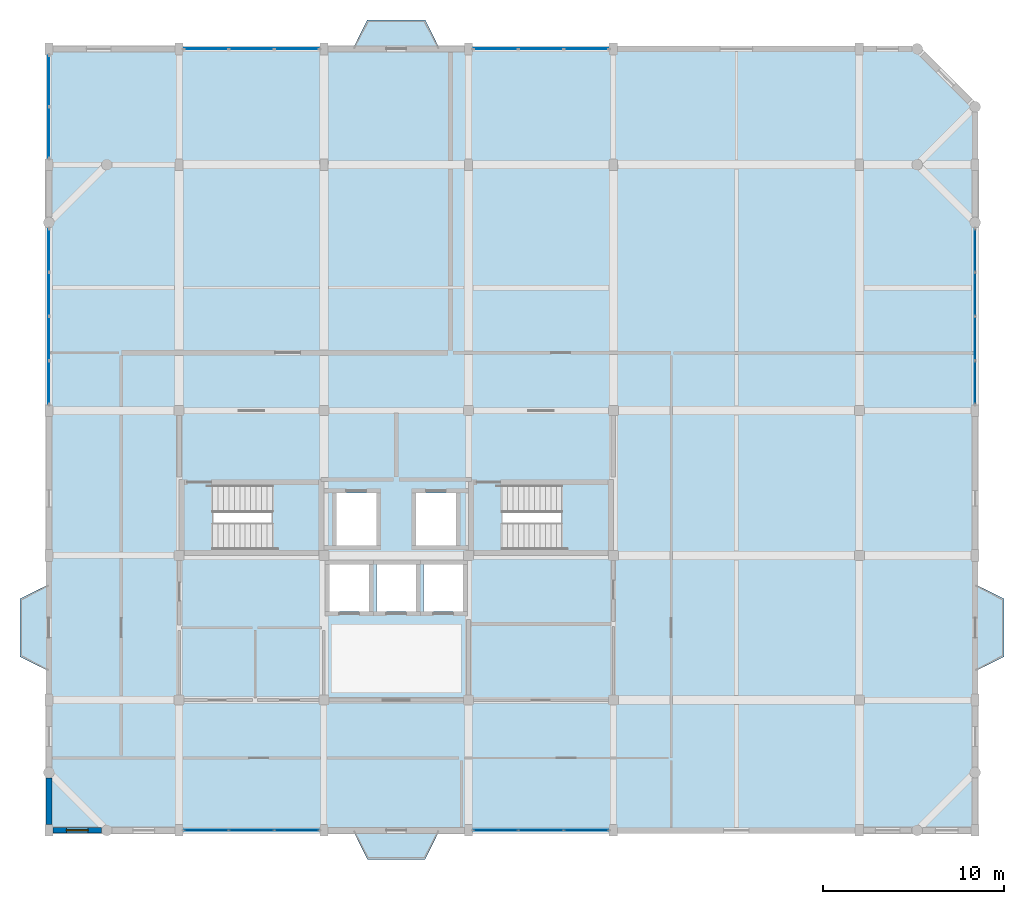
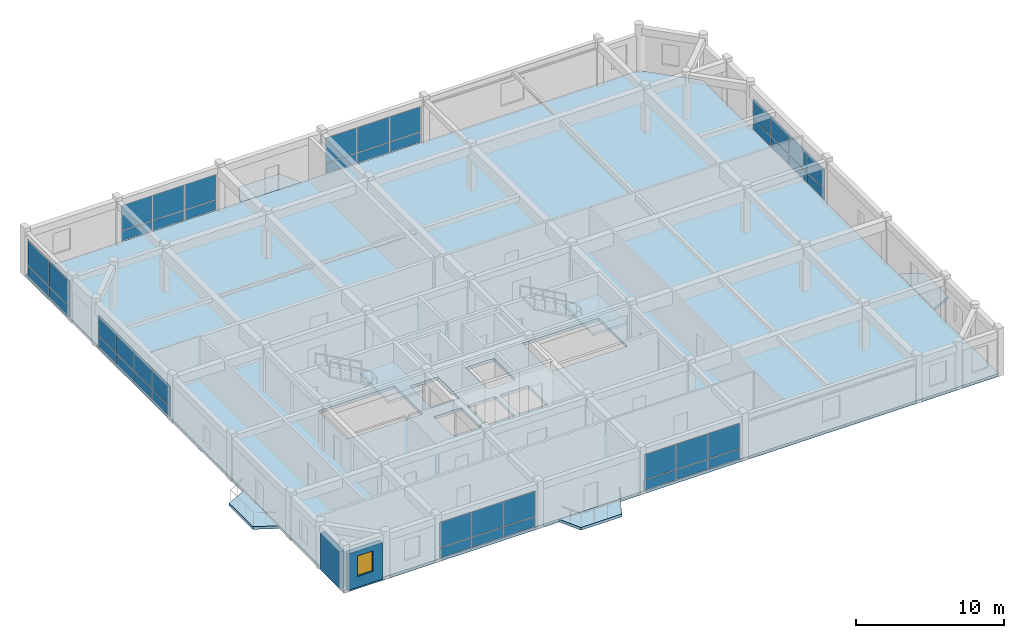
# One storey, part 8 of 13: 44 plates, 7 slabs, 2 walls, 1 window, 1 opening, 9 elements without a shape of their own.
"""IFC4 building model written with IfcOpenShell, lengths in metres."""

from ifc_helpers import new_model, si_unit, direction, frame, frame_2d, origin, origin_2d, place, context, subcontext, project, spatial, polyline, rectangle, outline, extrude, material, layer, layer_set, type_object, element, fill, aggregate, save


model = new_model("IFC4")

# Units and contexts
model_context = context("Model", 3, precision=1e-05, world=origin(), true_north=direction((0.0, 1.0)))
body_context = subcontext(model_context, "Body", "Model", "MODEL_VIEW")
ifc_project = project(units=[si_unit("LENGTHUNIT", "METRE"), si_unit("AREAUNIT", "SQUARE_METRE"), si_unit("VOLUMEUNIT", "CUBIC_METRE"), si_unit("PLANEANGLEUNIT", "RADIAN"), si_unit("MASSUNIT", "GRAM", prefix="KILO")], contexts=[model_context])

# Site, building, storey
site_placement = place(None, origin())
site = spatial("IfcSite", under=ifc_project, at=site_placement, CompositionType="ELEMENT")
building_placement = place(site_placement, origin())
building = spatial("IfcBuilding", under=site, at=building_placement, Name="Vellmiral Cinema and Media Centre", CompositionType="ELEMENT")
storey_placement = place(building_placement, frame((0.0, 0.0, 58.699951171875)))
storey = spatial("IfcBuildingStorey", under=building, at=storey_placement, Name="L14", CompositionType="ELEMENT", Elevation=58.699951171875)

# Curtain wall, plates
ifc_material_1 = material(Name="Thermally Broken Aluminium and Triple Glazing", Category="aluminium")
curtain_wall_type_1 = type_object("IfcCurtainWallType", Name="CW-TOWER-MID-W", PredefinedType="USERDEFINED", material=ifc_material_1)
curtain_wall_1_placement = place(storey_placement, origin())
curtain_wall_1 = element("IfcCurtainWall", 1, at=curtain_wall_1_placement, inside=storey, type_object=curtain_wall_type_1, Name="Curtain Wall L14-B019", ObjectType="UNITISED CURTAIN WALL", PredefinedType="USERDEFINED")
ifc_material_2 = material(Name="Laminated Studio Acoustic Glazing", Category="glass")
ifc_layer_1 = layer(ifc_material_2, 0.0439453125, Name="Laminated Studio Acoustic Glazing")
ifc_layer_set_1 = layer_set([ifc_layer_1], Name="Laminated Studio Acoustic Glazing")
plate_type_1 = type_object("IfcPlateType", Name="CWP-ACOUST-44", PredefinedType="CURTAIN_PANEL", material=ifc_layer_set_1)
plate_1_placement = place(storey_placement, frame((146.50048828125, 115.199951171875, 0.9326171875), z_axis=(0.0, 0.0, 1.0), x_axis=(-1.0, 0.0, 0.0)))
plate_1 = element("IfcPlate", 2, at=plate_1_placement, type_object=plate_type_1, Name="CW-08 panel 1.2", PredefinedType="CURTAIN_PANEL", context=body_context, shape_type="SweptSolid", body=[
    extrude(rectangle(XDim=2.419189453125, YDim=0.0439453125, at=origin_2d()), origin(), (0.0, 0.0, 1.0), 2.052490234375),
])
plate_2_placement = place(storey_placement, frame((144.0, 115.199951171875, 0.9326171875), z_axis=(0.0, 0.0, 1.0), x_axis=(-1.0, 0.0, 0.0)))
plate_2 = element("IfcPlate", 3, at=plate_2_placement, type_object=plate_type_1, Name="CW-08 panel 2.2", PredefinedType="CURTAIN_PANEL", context=body_context, shape_type="SweptSolid", body=[
    extrude(rectangle(XDim=2.45166015625, YDim=0.0439453125, at=origin_2d()), origin(), (0.0, 0.0, 1.0), 2.052490234375),
])
plate_3_placement = place(storey_placement, frame((141.49951171875, 115.199951171875, 0.9326171875), z_axis=(0.0, 0.0, 1.0), x_axis=(-1.0, 0.0, 0.0)))
plate_3 = element("IfcPlate", 4, at=plate_3_placement, type_object=plate_type_1, Name="CW-08 panel 3.2", PredefinedType="CURTAIN_PANEL", context=body_context, shape_type="SweptSolid", body=[
    extrude(rectangle(XDim=2.419189453125, YDim=0.0439453125, at=origin_2d()), origin(), (0.0, 0.0, 1.0), 2.052490234375),
])

curtain_wall_2_placement = place(storey_placement, origin())
curtain_wall_2 = element("IfcCurtainWall", 5, at=curtain_wall_2_placement, inside=storey, type_object=curtain_wall_type_1, Name="Curtain Wall L14-B021", ObjectType="UNITISED CURTAIN WALL", PredefinedType="USERDEFINED")
plate_4_placement = place(storey_placement, frame((130.50048828125, 115.199951171875, 0.9326171875), z_axis=(0.0, 0.0, 1.0), x_axis=(-1.0, 0.0, 0.0)))
plate_4 = element("IfcPlate", 6, at=plate_4_placement, type_object=plate_type_1, Name="CW-08 panel 1.2", PredefinedType="CURTAIN_PANEL", context=body_context, shape_type="SweptSolid", body=[
    extrude(rectangle(XDim=2.419189453125, YDim=0.0439453125, at=origin_2d()), origin(), (0.0, 0.0, 1.0), 2.052490234375),
])
plate_5_placement = place(storey_placement, frame((128.0, 115.199951171875, 0.9326171875), z_axis=(0.0, 0.0, 1.0), x_axis=(-1.0, 0.0, 0.0)))
plate_5 = element("IfcPlate", 7, at=plate_5_placement, type_object=plate_type_1, Name="CW-08 panel 2.2", PredefinedType="CURTAIN_PANEL", context=body_context, shape_type="SweptSolid", body=[
    extrude(rectangle(XDim=2.45166015625, YDim=0.0439453125, at=origin_2d()), origin(), (0.0, 0.0, 1.0), 2.052490234375),
])
plate_6_placement = place(storey_placement, frame((125.49951171875, 115.199951171875, 0.9326171875), z_axis=(0.0, 0.0, 1.0), x_axis=(-1.0, 0.0, 0.0)))
plate_6 = element("IfcPlate", 8, at=plate_6_placement, type_object=plate_type_1, Name="CW-08 panel 3.2", PredefinedType="CURTAIN_PANEL", context=body_context, shape_type="SweptSolid", body=[
    extrude(rectangle(XDim=2.419189453125, YDim=0.0439453125, at=origin_2d()), origin(), (0.0, 0.0, 1.0), 2.052490234375),
])

curtain_wall_3_placement = place(storey_placement, origin())
curtain_wall_3 = element("IfcCurtainWall", 9, at=curtain_wall_3_placement, inside=storey, type_object=curtain_wall_type_1, Name="Curtain Wall L14-B023", ObjectType="UNITISED CURTAIN WALL", PredefinedType="USERDEFINED")
plate_7_placement = place(storey_placement, frame((116.800048828125, 113.421142578125, 0.9326171875), z_axis=(0.0, 0.0, 1.0), x_axis=(0.0, -1.0, 0.0)))
plate_7 = element("IfcPlate", 10, at=plate_7_placement, type_object=plate_type_1, Name="CW-08 panel 1.2", PredefinedType="CURTAIN_PANEL", context=body_context, shape_type="SweptSolid", body=[
    extrude(rectangle(XDim=2.777587890625, YDim=0.0439453125, at=origin_2d()), origin(), (0.0, 0.0, 1.0), 2.052490234375),
])
plate_8_placement = place(storey_placement, frame((116.800048828125, 110.578857421875, 0.9326171875), z_axis=(0.0, 0.0, 1.0), x_axis=(0.0, -1.0, 0.0)))
plate_8 = element("IfcPlate", 11, at=plate_8_placement, type_object=plate_type_1, Name="CW-08 panel 2.2", PredefinedType="CURTAIN_PANEL", context=body_context, shape_type="SweptSolid", body=[
    extrude(rectangle(XDim=2.777587890625, YDim=0.0439453125, at=origin_2d()), origin(), (0.0, 0.0, 1.0), 2.052490234375),
])

curtain_wall_4_placement = place(storey_placement, origin())
curtain_wall_4 = element("IfcCurtainWall", 12, at=curtain_wall_4_placement, inside=storey, type_object=curtain_wall_type_1, Name="Curtain Wall L14-B025", ObjectType="UNITISED CURTAIN WALL", PredefinedType="USERDEFINED")
plate_9_placement = place(storey_placement, frame((116.800048828125, 104.061767578125, 0.9326171875), z_axis=(0.0, 0.0, 1.0), x_axis=(0.0, -1.0, 0.0)))
plate_9 = element("IfcPlate", 13, at=plate_9_placement, type_object=plate_type_1, Name="CW-08 panel 1.2", PredefinedType="CURTAIN_PANEL", context=body_context, shape_type="SweptSolid", body=[
    extrude(rectangle(XDim=2.34619140625, YDim=0.0439453125, at=origin_2d()), origin(), (0.0, 0.0, 1.0), 1.637451171875),
])
plate_10_placement = place(storey_placement, frame((116.800048828125, 101.63427734375, 0.9326171875), z_axis=(0.0, 0.0, 1.0), x_axis=(0.0, -1.0, 0.0)))
plate_10 = element("IfcPlate", 14, at=plate_10_placement, type_object=plate_type_1, Name="CW-08 panel 2.2", PredefinedType="CURTAIN_PANEL", context=body_context, shape_type="SweptSolid", body=[
    extrude(rectangle(XDim=2.378662109375, YDim=0.0439453125, at=origin_2d()), origin(), (0.0, 0.0, 1.0), 1.637451171875),
])
plate_11_placement = place(storey_placement, frame((116.800048828125, 99.190673828125, 0.9326171875), z_axis=(0.0, 0.0, 1.0), x_axis=(0.0, -1.0, 0.0)))
plate_11 = element("IfcPlate", 15, at=plate_11_placement, type_object=plate_type_1, Name="CW-08 panel 3.2", PredefinedType="CURTAIN_PANEL", context=body_context, shape_type="SweptSolid", body=[
    extrude(rectangle(XDim=2.378662109375, YDim=0.0439453125, at=origin_2d()), origin(), (0.0, 0.0, 1.0), 1.637451171875),
])
plate_12_placement = place(storey_placement, frame((116.800048828125, 96.76318359375, 0.9326171875), z_axis=(0.0, 0.0, 1.0), x_axis=(0.0, -1.0, 0.0)))
plate_12 = element("IfcPlate", 16, at=plate_12_placement, type_object=plate_type_1, Name="CW-08 panel 4.2", PredefinedType="CURTAIN_PANEL", context=body_context, shape_type="SweptSolid", body=[
    extrude(rectangle(XDim=2.34619140625, YDim=0.0439453125, at=origin_2d()), origin(), (0.0, 0.0, 1.0), 1.637451171875),
])

ifc_material_3 = material(Name="Thermally Broken Aluminium and Triple Glazing", Category="aluminium")
curtain_wall_type_2 = type_object("IfcCurtainWallType", Name="CW-TOWER-MID-E", PredefinedType="USERDEFINED", material=ifc_material_3)
curtain_wall_5_placement = place(storey_placement, origin())
curtain_wall_5 = element("IfcCurtainWall", 17, at=curtain_wall_5_placement, inside=storey, type_object=curtain_wall_type_2, Name="Curtain Wall L14-B003", ObjectType="UNITISED CURTAIN WALL", PredefinedType="USERDEFINED")
ifc_material_4 = material(Name="Honed Vosges Sandstone Spandrel Panel", Category="masonry")
ifc_layer_2 = layer(ifc_material_4, 0.06005859375, Name="Honed Vosges Sandstone Spandrel Panel")
ifc_layer_set_2 = layer_set([ifc_layer_2], Name="Honed Vosges Sandstone Spandrel Panel")
plate_type_2 = type_object("IfcPlateType", Name="CWP-SAND-60", PredefinedType="CURTAIN_PANEL", material=ifc_layer_set_2)
plate_13_placement = place(storey_placement, frame((125.49951171875, 72.0, 0.06494140625), z_axis=(0.0, 0.0, 1.0), x_axis=(1.0, 0.0, 0.0)))
plate_13 = element("IfcPlate", 18, at=plate_13_placement, type_object=plate_type_2, Name="CW-07 panel 1.1", PredefinedType="CURTAIN_PANEL", context=body_context, shape_type="SweptSolid", body=[
    extrude(rectangle(XDim=2.419189453125, YDim=0.06005859375, at=origin_2d()), origin(), (0.0, 0.0, 1.0), 0.802490234375),
])
plate_14_placement = place(storey_placement, frame((128.0, 72.0, 0.06494140625), z_axis=(0.0, 0.0, 1.0), x_axis=(1.0, 0.0, 0.0)))
plate_14 = element("IfcPlate", 19, at=plate_14_placement, type_object=plate_type_2, Name="CW-07 panel 2.1", PredefinedType="CURTAIN_PANEL", context=body_context, shape_type="SweptSolid", body=[
    extrude(rectangle(XDim=2.45166015625, YDim=0.06005859375, at=origin_2d()), origin(), (0.0, 0.0, 1.0), 0.802490234375),
])
plate_15_placement = place(storey_placement, frame((130.50048828125, 72.0, 0.06494140625), z_axis=(0.0, 0.0, 1.0), x_axis=(1.0, 0.0, 0.0)))
plate_15 = element("IfcPlate", 20, at=plate_15_placement, type_object=plate_type_2, Name="CW-07 panel 3.1", PredefinedType="CURTAIN_PANEL", context=body_context, shape_type="SweptSolid", body=[
    extrude(rectangle(XDim=2.419189453125, YDim=0.06005859375, at=origin_2d()), origin(), (0.0, 0.0, 1.0), 0.802490234375),
])

curtain_wall_6_placement = place(storey_placement, origin())
curtain_wall_6 = element("IfcCurtainWall", 21, at=curtain_wall_6_placement, inside=storey, type_object=curtain_wall_type_2, Name="Curtain Wall L14-B005", ObjectType="UNITISED CURTAIN WALL", PredefinedType="USERDEFINED")
plate_16_placement = place(storey_placement, frame((141.49951171875, 72.0, 0.06494140625), z_axis=(0.0, 0.0, 1.0), x_axis=(1.0, 0.0, 0.0)))
plate_16 = element("IfcPlate", 22, at=plate_16_placement, type_object=plate_type_2, Name="CW-07 panel 1.1", PredefinedType="CURTAIN_PANEL", context=body_context, shape_type="SweptSolid", body=[
    extrude(rectangle(XDim=2.419189453125, YDim=0.06005859375, at=origin_2d()), origin(), (0.0, 0.0, 1.0), 0.802490234375),
])
plate_17_placement = place(storey_placement, frame((144.0, 72.0, 0.06494140625), z_axis=(0.0, 0.0, 1.0), x_axis=(1.0, 0.0, 0.0)))
plate_17 = element("IfcPlate", 23, at=plate_17_placement, type_object=plate_type_2, Name="CW-07 panel 2.1", PredefinedType="CURTAIN_PANEL", context=body_context, shape_type="SweptSolid", body=[
    extrude(rectangle(XDim=2.45166015625, YDim=0.06005859375, at=origin_2d()), origin(), (0.0, 0.0, 1.0), 0.802490234375),
])
plate_18_placement = place(storey_placement, frame((146.50048828125, 72.0, 0.06494140625), z_axis=(0.0, 0.0, 1.0), x_axis=(1.0, 0.0, 0.0)))
plate_18 = element("IfcPlate", 24, at=plate_18_placement, type_object=plate_type_2, Name="CW-07 panel 3.1", PredefinedType="CURTAIN_PANEL", context=body_context, shape_type="SweptSolid", body=[
    extrude(rectangle(XDim=2.419189453125, YDim=0.06005859375, at=origin_2d()), origin(), (0.0, 0.0, 1.0), 0.802490234375),
])

curtain_wall_7_placement = place(storey_placement, origin())
curtain_wall_7 = element("IfcCurtainWall", 25, at=curtain_wall_7_placement, inside=storey, type_object=curtain_wall_type_2, Name="Curtain Wall L14-B013", ObjectType="UNITISED CURTAIN WALL", PredefinedType="USERDEFINED")
plate_19_placement = place(storey_placement, frame((168.0, 96.76318359375, 0.06494140625), z_axis=(0.0, 0.0, 1.0), x_axis=(0.0, 1.0, 0.0)))
plate_19 = element("IfcPlate", 26, at=plate_19_placement, type_object=plate_type_2, Name="CW-07 panel 1.1", PredefinedType="CURTAIN_PANEL", context=body_context, shape_type="SweptSolid", body=[
    extrude(rectangle(XDim=2.34619140625, YDim=0.06005859375, at=origin_2d()), origin(), (0.0, 0.0, 1.0), 0.802490234375),
])
plate_20_placement = place(storey_placement, frame((168.0, 99.190673828125, 0.06494140625), z_axis=(0.0, 0.0, 1.0), x_axis=(0.0, 1.0, 0.0)))
plate_20 = element("IfcPlate", 27, at=plate_20_placement, type_object=plate_type_2, Name="CW-07 panel 2.1", PredefinedType="CURTAIN_PANEL", context=body_context, shape_type="SweptSolid", body=[
    extrude(rectangle(XDim=2.378662109375, YDim=0.06005859375, at=origin_2d()), origin(), (0.0, 0.0, 1.0), 0.802490234375),
])
plate_21_placement = place(storey_placement, frame((168.0, 101.63427734375, 0.06494140625), z_axis=(0.0, 0.0, 1.0), x_axis=(0.0, 1.0, 0.0)))
plate_21 = element("IfcPlate", 28, at=plate_21_placement, type_object=plate_type_2, Name="CW-07 panel 3.1", PredefinedType="CURTAIN_PANEL", context=body_context, shape_type="SweptSolid", body=[
    extrude(rectangle(XDim=2.378662109375, YDim=0.06005859375, at=origin_2d()), origin(), (0.0, 0.0, 1.0), 0.802490234375),
])
plate_22_placement = place(storey_placement, frame((168.0, 104.061767578125, 0.06494140625), z_axis=(0.0, 0.0, 1.0), x_axis=(0.0, 1.0, 0.0)))
plate_22 = element("IfcPlate", 29, at=plate_22_placement, type_object=plate_type_2, Name="CW-07 panel 4.1", PredefinedType="CURTAIN_PANEL", context=body_context, shape_type="SweptSolid", body=[
    extrude(rectangle(XDim=2.34619140625, YDim=0.06005859375, at=origin_2d()), origin(), (0.0, 0.0, 1.0), 0.802490234375),
])

# Plate
ifc_material_5 = material(Name="Solar-Control Acoustic Triple Glazing", Category="glass")
ifc_layer_3 = layer(ifc_material_5, 0.0419921875, Name="Solar-Control Acoustic Triple Glazing")
ifc_layer_set_3 = layer_set([ifc_layer_3], Name="Solar-Control Acoustic Triple Glazing")
plate_type_3 = type_object("IfcPlateType", Name="CWP-SOLAR-42", PredefinedType="CURTAIN_PANEL", material=ifc_layer_set_3)
plate_23_placement = place(storey_placement, frame((125.49951171875, 72.0, 0.9326171875), z_axis=(0.0, 0.0, 1.0), x_axis=(1.0, 0.0, 0.0)))
plate_23 = element("IfcPlate", 30, at=plate_23_placement, type_object=plate_type_3, Name="CW-07 panel 1.2", PredefinedType="CURTAIN_PANEL", context=body_context, shape_type="SweptSolid", body=[
    extrude(rectangle(XDim=2.419189453125, YDim=0.0419921875, at=origin_2d()), origin(), (0.0, 0.0, 1.0), 2.052490234375),
])

plate_24_placement = place(storey_placement, frame((128.0, 72.0, 0.9326171875), z_axis=(0.0, 0.0, 1.0), x_axis=(1.0, 0.0, 0.0)))
plate_24 = element("IfcPlate", 31, at=plate_24_placement, type_object=plate_type_3, Name="CW-07 panel 2.2", PredefinedType="CURTAIN_PANEL", context=body_context, shape_type="SweptSolid", body=[
    extrude(rectangle(XDim=2.45166015625, YDim=0.0419921875, at=origin_2d()), origin(), (0.0, 0.0, 1.0), 2.052490234375),
])

plate_25_placement = place(storey_placement, frame((130.50048828125, 72.0, 0.9326171875), z_axis=(0.0, 0.0, 1.0), x_axis=(1.0, 0.0, 0.0)))
plate_25 = element("IfcPlate", 32, at=plate_25_placement, type_object=plate_type_3, Name="CW-07 panel 3.2", PredefinedType="CURTAIN_PANEL", context=body_context, shape_type="SweptSolid", body=[
    extrude(rectangle(XDim=2.419189453125, YDim=0.0419921875, at=origin_2d()), origin(), (0.0, 0.0, 1.0), 2.052490234375),
])

aggregate(curtain_wall_5, [plate_13, plate_23, plate_14, plate_24, plate_15, plate_25])

plate_26_placement = place(storey_placement, frame((141.49951171875, 72.0, 0.9326171875), z_axis=(0.0, 0.0, 1.0), x_axis=(1.0, 0.0, 0.0)))
plate_26 = element("IfcPlate", 33, at=plate_26_placement, type_object=plate_type_3, Name="CW-07 panel 1.2", PredefinedType="CURTAIN_PANEL", context=body_context, shape_type="SweptSolid", body=[
    extrude(rectangle(XDim=2.419189453125, YDim=0.0419921875, at=origin_2d()), origin(), (0.0, 0.0, 1.0), 2.052490234375),
])

plate_27_placement = place(storey_placement, frame((144.0, 72.0, 0.9326171875), z_axis=(0.0, 0.0, 1.0), x_axis=(1.0, 0.0, 0.0)))
plate_27 = element("IfcPlate", 34, at=plate_27_placement, type_object=plate_type_3, Name="CW-07 panel 2.2", PredefinedType="CURTAIN_PANEL", context=body_context, shape_type="SweptSolid", body=[
    extrude(rectangle(XDim=2.45166015625, YDim=0.0419921875, at=origin_2d()), origin(), (0.0, 0.0, 1.0), 2.052490234375),
])

plate_28_placement = place(storey_placement, frame((146.50048828125, 72.0, 0.9326171875), z_axis=(0.0, 0.0, 1.0), x_axis=(1.0, 0.0, 0.0)))
plate_28 = element("IfcPlate", 35, at=plate_28_placement, type_object=plate_type_3, Name="CW-07 panel 3.2", PredefinedType="CURTAIN_PANEL", context=body_context, shape_type="SweptSolid", body=[
    extrude(rectangle(XDim=2.419189453125, YDim=0.0419921875, at=origin_2d()), origin(), (0.0, 0.0, 1.0), 2.052490234375),
])

aggregate(curtain_wall_6, [plate_16, plate_26, plate_17, plate_27, plate_18, plate_28])

plate_29_placement = place(storey_placement, frame((168.0, 96.76318359375, 0.9326171875), z_axis=(0.0, 0.0, 1.0), x_axis=(0.0, 1.0, 0.0)))
plate_29 = element("IfcPlate", 36, at=plate_29_placement, type_object=plate_type_3, Name="CW-07 panel 1.2", PredefinedType="CURTAIN_PANEL", context=body_context, shape_type="SweptSolid", body=[
    extrude(rectangle(XDim=2.34619140625, YDim=0.0419921875, at=origin_2d()), origin(), (0.0, 0.0, 1.0), 1.637451171875),
])

plate_30_placement = place(storey_placement, frame((168.0, 99.190673828125, 0.9326171875), z_axis=(0.0, 0.0, 1.0), x_axis=(0.0, 1.0, 0.0)))
plate_30 = element("IfcPlate", 37, at=plate_30_placement, type_object=plate_type_3, Name="CW-07 panel 2.2", PredefinedType="CURTAIN_PANEL", context=body_context, shape_type="SweptSolid", body=[
    extrude(rectangle(XDim=2.378662109375, YDim=0.0419921875, at=origin_2d()), origin(), (0.0, 0.0, 1.0), 1.637451171875),
])

plate_31_placement = place(storey_placement, frame((168.0, 101.63427734375, 0.9326171875), z_axis=(0.0, 0.0, 1.0), x_axis=(0.0, 1.0, 0.0)))
plate_31 = element("IfcPlate", 38, at=plate_31_placement, type_object=plate_type_3, Name="CW-07 panel 3.2", PredefinedType="CURTAIN_PANEL", context=body_context, shape_type="SweptSolid", body=[
    extrude(rectangle(XDim=2.378662109375, YDim=0.0419921875, at=origin_2d()), origin(), (0.0, 0.0, 1.0), 1.637451171875),
])

plate_32_placement = place(storey_placement, frame((168.0, 104.061767578125, 0.9326171875), z_axis=(0.0, 0.0, 1.0), x_axis=(0.0, 1.0, 0.0)))
plate_32 = element("IfcPlate", 39, at=plate_32_placement, type_object=plate_type_3, Name="CW-07 panel 4.2", PredefinedType="CURTAIN_PANEL", context=body_context, shape_type="SweptSolid", body=[
    extrude(rectangle(XDim=2.34619140625, YDim=0.0419921875, at=origin_2d()), origin(), (0.0, 0.0, 1.0), 1.637451171875),
])

aggregate(curtain_wall_7, [plate_19, plate_29, plate_20, plate_30, plate_21, plate_31, plate_22, plate_32])

ifc_material_6 = material(Name="Polychrome Trencadis Ceramic Spandrel Panel", Category="ceramic")
ifc_layer_4 = layer(ifc_material_6, 0.052001953125, Name="Polychrome Trencadis Ceramic Spandrel Panel")
ifc_layer_set_4 = layer_set([ifc_layer_4], Name="Polychrome Trencadis Ceramic Spandrel Panel")
plate_type_4 = type_object("IfcPlateType", Name="CWP-TRENC-52", PredefinedType="CURTAIN_PANEL", material=ifc_layer_set_4)
plate_33_placement = place(storey_placement, frame((146.50048828125, 115.199951171875, 0.06494140625), z_axis=(0.0, 0.0, 1.0), x_axis=(-1.0, 0.0, 0.0)))
plate_33 = element("IfcPlate", 40, at=plate_33_placement, type_object=plate_type_4, Name="CW-08 panel 1.1", PredefinedType="CURTAIN_PANEL", context=body_context, shape_type="SweptSolid", body=[
    extrude(rectangle(XDim=2.419189453125, YDim=0.052001953125, at=origin_2d()), origin(), (0.0, 0.0, 1.0), 0.802490234375),
])

plate_34_placement = place(storey_placement, frame((144.0, 115.199951171875, 0.06494140625), z_axis=(0.0, 0.0, 1.0), x_axis=(-1.0, 0.0, 0.0)))
plate_34 = element("IfcPlate", 41, at=plate_34_placement, type_object=plate_type_4, Name="CW-08 panel 2.1", PredefinedType="CURTAIN_PANEL", context=body_context, shape_type="SweptSolid", body=[
    extrude(rectangle(XDim=2.45166015625, YDim=0.052001953125, at=origin_2d()), origin(), (0.0, 0.0, 1.0), 0.802490234375),
])

plate_35_placement = place(storey_placement, frame((141.49951171875, 115.199951171875, 0.06494140625), z_axis=(0.0, 0.0, 1.0), x_axis=(-1.0, 0.0, 0.0)))
plate_35 = element("IfcPlate", 42, at=plate_35_placement, type_object=plate_type_4, Name="CW-08 panel 3.1", PredefinedType="CURTAIN_PANEL", context=body_context, shape_type="SweptSolid", body=[
    extrude(rectangle(XDim=2.419189453125, YDim=0.052001953125, at=origin_2d()), origin(), (0.0, 0.0, 1.0), 0.802490234375),
])

aggregate(curtain_wall_1, [plate_33, plate_1, plate_34, plate_2, plate_35, plate_3])

plate_36_placement = place(storey_placement, frame((130.50048828125, 115.199951171875, 0.06494140625), z_axis=(0.0, 0.0, 1.0), x_axis=(-1.0, 0.0, 0.0)))
plate_36 = element("IfcPlate", 43, at=plate_36_placement, type_object=plate_type_4, Name="CW-08 panel 1.1", PredefinedType="CURTAIN_PANEL", context=body_context, shape_type="SweptSolid", body=[
    extrude(rectangle(XDim=2.419189453125, YDim=0.052001953125, at=origin_2d()), origin(), (0.0, 0.0, 1.0), 0.802490234375),
])

plate_37_placement = place(storey_placement, frame((128.0, 115.199951171875, 0.06494140625), z_axis=(0.0, 0.0, 1.0), x_axis=(-1.0, 0.0, 0.0)))
plate_37 = element("IfcPlate", 44, at=plate_37_placement, type_object=plate_type_4, Name="CW-08 panel 2.1", PredefinedType="CURTAIN_PANEL", context=body_context, shape_type="SweptSolid", body=[
    extrude(rectangle(XDim=2.45166015625, YDim=0.052001953125, at=origin_2d()), origin(), (0.0, 0.0, 1.0), 0.802490234375),
])

plate_38_placement = place(storey_placement, frame((125.49951171875, 115.199951171875, 0.06494140625), z_axis=(0.0, 0.0, 1.0), x_axis=(-1.0, 0.0, 0.0)))
plate_38 = element("IfcPlate", 45, at=plate_38_placement, type_object=plate_type_4, Name="CW-08 panel 3.1", PredefinedType="CURTAIN_PANEL", context=body_context, shape_type="SweptSolid", body=[
    extrude(rectangle(XDim=2.419189453125, YDim=0.052001953125, at=origin_2d()), origin(), (0.0, 0.0, 1.0), 0.802490234375),
])

aggregate(curtain_wall_2, [plate_36, plate_4, plate_37, plate_5, plate_38, plate_6])

plate_39_placement = place(storey_placement, frame((116.800048828125, 113.421142578125, 0.06494140625), z_axis=(0.0, 0.0, 1.0), x_axis=(0.0, -1.0, 0.0)))
plate_39 = element("IfcPlate", 46, at=plate_39_placement, type_object=plate_type_4, Name="CW-08 panel 1.1", PredefinedType="CURTAIN_PANEL", context=body_context, shape_type="SweptSolid", body=[
    extrude(rectangle(XDim=2.777587890625, YDim=0.052001953125, at=origin_2d()), origin(), (0.0, 0.0, 1.0), 0.802490234375),
])

plate_40_placement = place(storey_placement, frame((116.800048828125, 110.578857421875, 0.06494140625), z_axis=(0.0, 0.0, 1.0), x_axis=(0.0, -1.0, 0.0)))
plate_40 = element("IfcPlate", 47, at=plate_40_placement, type_object=plate_type_4, Name="CW-08 panel 2.1", PredefinedType="CURTAIN_PANEL", context=body_context, shape_type="SweptSolid", body=[
    extrude(rectangle(XDim=2.777587890625, YDim=0.052001953125, at=origin_2d()), origin(), (0.0, 0.0, 1.0), 0.802490234375),
])

aggregate(curtain_wall_3, [plate_39, plate_7, plate_40, plate_8])

plate_41_placement = place(storey_placement, frame((116.800048828125, 104.061767578125, 0.06494140625), z_axis=(0.0, 0.0, 1.0), x_axis=(0.0, -1.0, 0.0)))
plate_41 = element("IfcPlate", 48, at=plate_41_placement, type_object=plate_type_4, Name="CW-08 panel 1.1", PredefinedType="CURTAIN_PANEL", context=body_context, shape_type="SweptSolid", body=[
    extrude(rectangle(XDim=2.34619140625, YDim=0.052001953125, at=origin_2d()), origin(), (0.0, 0.0, 1.0), 0.802490234375),
])

plate_42_placement = place(storey_placement, frame((116.800048828125, 101.63427734375, 0.06494140625), z_axis=(0.0, 0.0, 1.0), x_axis=(0.0, -1.0, 0.0)))
plate_42 = element("IfcPlate", 49, at=plate_42_placement, type_object=plate_type_4, Name="CW-08 panel 2.1", PredefinedType="CURTAIN_PANEL", context=body_context, shape_type="SweptSolid", body=[
    extrude(rectangle(XDim=2.378662109375, YDim=0.052001953125, at=origin_2d()), origin(), (0.0, 0.0, 1.0), 0.802490234375),
])

plate_43_placement = place(storey_placement, frame((116.800048828125, 99.190673828125, 0.06494140625), z_axis=(0.0, 0.0, 1.0), x_axis=(0.0, -1.0, 0.0)))
plate_43 = element("IfcPlate", 50, at=plate_43_placement, type_object=plate_type_4, Name="CW-08 panel 3.1", PredefinedType="CURTAIN_PANEL", context=body_context, shape_type="SweptSolid", body=[
    extrude(rectangle(XDim=2.378662109375, YDim=0.052001953125, at=origin_2d()), origin(), (0.0, 0.0, 1.0), 0.802490234375),
])

plate_44_placement = place(storey_placement, frame((116.800048828125, 96.76318359375, 0.06494140625), z_axis=(0.0, 0.0, 1.0), x_axis=(0.0, -1.0, 0.0)))
plate_44 = element("IfcPlate", 51, at=plate_44_placement, type_object=plate_type_4, Name="CW-08 panel 4.1", PredefinedType="CURTAIN_PANEL", context=body_context, shape_type="SweptSolid", body=[
    extrude(rectangle(XDim=2.34619140625, YDim=0.052001953125, at=origin_2d()), origin(), (0.0, 0.0, 1.0), 0.802490234375),
])

aggregate(curtain_wall_4, [plate_41, plate_9, plate_42, plate_10, plate_43, plate_11, plate_44, plate_12])

# Slab
ifc_material_7 = material(Name="Concrete C40/50", Category="concrete")
ifc_layer_5 = layer(ifc_material_7, 0.239990234375, Name="Concrete C40/50")
ifc_layer_set_5 = layer_set([ifc_layer_5], Name="Concrete C40/50")
slab_type_1 = type_object("IfcSlabType", Name="SLB-FLR-240", PredefinedType="FLOOR", material=ifc_layer_set_5)
slab_1_placement = place(storey_placement, frame((0.0, 0.0, -0.239990234375)))
element("IfcSlab", 52, at=slab_1_placement, inside=storey, type_object=slab_type_1, Name="L14 Structural Slab", PredefinedType="FLOOR", context=body_context, shape_type="SweptSolid", body=[
    extrude(outline(polyline([(116.800048828125, 72.0), (168.0, 72.0), (168.0, 112.0), (164.800048828125, 115.199951171875), (116.800048828125, 115.199951171875), (116.800048828125, 72.0)]), holes=[polyline([(125.85009765625, 87.3798828125), (131.820068359375, 87.3798828125), (131.820068359375, 91.219970703125), (125.85009765625, 91.219970703125), (125.85009765625, 87.3798828125)]), polyline([(141.85009765625, 87.3798828125), (147.820068359375, 87.3798828125), (147.820068359375, 91.219970703125), (141.85009765625, 91.219970703125), (141.85009765625, 87.3798828125)]), polyline([(132.699951171875, 87.75), (134.89990234375, 87.75), (134.89990234375, 90.64990234375), (132.699951171875, 90.64990234375), (132.699951171875, 87.75)]), polyline([(137.10009765625, 87.75), (139.300048828125, 87.75), (139.300048828125, 90.64990234375), (137.10009765625, 90.64990234375), (137.10009765625, 87.75)]), polyline([(132.300048828125, 84.10009765625), (134.5, 84.10009765625), (134.5, 86.699951171875), (132.300048828125, 86.699951171875), (132.300048828125, 84.10009765625)]), polyline([(134.89990234375, 84.10009765625), (137.10009765625, 84.10009765625), (137.10009765625, 86.699951171875), (134.89990234375, 86.699951171875), (134.89990234375, 84.10009765625)]), polyline([(137.5, 84.10009765625), (139.699951171875, 84.10009765625), (139.699951171875, 86.699951171875), (137.5, 86.699951171875), (137.5, 84.10009765625)])]), origin(), (0.0, 0.0, 1.0), 0.239990234375),
])

# Stair, slab
ifc_material_8 = material(Name="Concrete C40/50", Category="concrete")
stair_type = type_object("IfcStairType", Name="ST-2RET-395", PredefinedType="HALF_TURN_STAIR", material=ifc_material_8)
stair_1_placement = place(storey_placement, origin())
stair_1 = element("IfcStair", 53, at=stair_1_placement, inside=storey, type_object=stair_type, Name="Protected Escape Stair ST-T1 (L14)", PredefinedType="HALF_TURN_STAIR")
ifc_material_9 = material(Name="Concrete C40/50", Category="concrete")
ifc_layer_6 = layer(ifc_material_9, 0.219970703125, Name="Concrete C40/50")
ifc_layer_set_6 = layer_set([ifc_layer_6], Name="Concrete C40/50")
slab_type_2 = type_object("IfcSlabType", Name="SLB-LAND-220", PredefinedType="LANDING", material=ifc_layer_set_6)
slab_2_placement = place(storey_placement, frame((0.0, 0.0, 1.755126953125)))
slab_2 = element("IfcSlab", 54, at=slab_2_placement, type_object=slab_type_2, Name="ST-T1 landing 1", PredefinedType="LANDING", context=body_context, shape_type="SweptSolid", body=[
    extrude(outline(polyline([(129.14990234375, 87.3798828125), (131.820068359375, 87.3798828125), (131.820068359375, 91.219970703125), (129.14990234375, 91.219970703125), (129.14990234375, 87.3798828125)])), origin(), (0.0, 0.0, 1.0), 0.219970703125),
])
aggregate(stair_1, [slab_2])

stair_2_placement = place(storey_placement, origin())
stair_2 = element("IfcStair", 55, at=stair_2_placement, inside=storey, type_object=stair_type, Name="Protected Escape Stair ST-T2 (L14)", PredefinedType="HALF_TURN_STAIR")
slab_3_placement = place(storey_placement, frame((0.0, 0.0, 1.755126953125)))
slab_3 = element("IfcSlab", 56, at=slab_3_placement, type_object=slab_type_2, Name="ST-T2 landing 1", PredefinedType="LANDING", context=body_context, shape_type="SweptSolid", body=[
    extrude(outline(polyline([(145.14990234375, 87.3798828125), (147.820068359375, 87.3798828125), (147.820068359375, 91.219970703125), (145.14990234375, 91.219970703125), (145.14990234375, 87.3798828125)])), origin(), (0.0, 0.0, 1.0), 0.219970703125),
])
aggregate(stair_2, [slab_3])

# Slabs
ifc_material_10 = material(Name="Concrete C40/50", Category="concrete")
ifc_layer_7 = layer(ifc_material_10, 0.22998046875, Name="Concrete C40/50")
ifc_layer_set_7 = layer_set([ifc_layer_7], Name="Concrete C40/50")
slab_type_3 = type_object("IfcSlabType", Name="SLB-MIRA-230", PredefinedType="FLOOR", material=ifc_layer_set_7)
slab_4_placement = place(storey_placement, frame((0.0, 0.0, -0.22998046875)))
element("IfcSlab", 57, at=slab_4_placement, inside=storey, type_object=slab_type_3, Name="Catalan Mirador Balcony L14-E", PredefinedType="FLOOR", context=body_context, shape_type="SweptSolid", body=[
    extrude(outline(polyline([(168.0, 80.800048828125), (169.60009765625, 81.60009765625), (169.60009765625, 84.800048828125), (168.0, 85.60009765625), (168.0, 80.800048828125)])), origin(), (0.0, 0.0, 1.0), 0.22998046875),
])
slab_5_placement = place(storey_placement, frame((0.0, 0.0, -0.22998046875)))
element("IfcSlab", 58, at=slab_5_placement, inside=storey, type_object=slab_type_3, Name="Catalan Mirador Balcony L14-N", PredefinedType="FLOOR", context=body_context, shape_type="SweptSolid", body=[
    extrude(outline(polyline([(133.60009765625, 115.199951171875), (138.39990234375, 115.199951171875), (137.60009765625, 116.800048828125), (134.39990234375, 116.800048828125), (133.60009765625, 115.199951171875)])), origin(), (0.0, 0.0, 1.0), 0.22998046875),
])
slab_6_placement = place(storey_placement, frame((0.0, 0.0, -0.22998046875)))
element("IfcSlab", 59, at=slab_6_placement, inside=storey, type_object=slab_type_3, Name="Catalan Mirador Balcony L14-W", PredefinedType="FLOOR", context=body_context, shape_type="SweptSolid", body=[
    extrude(outline(polyline([(116.800048828125, 80.800048828125), (116.800048828125, 85.60009765625), (115.199951171875, 84.800048828125), (115.199951171875, 81.60009765625), (116.800048828125, 80.800048828125)])), origin(), (0.0, 0.0, 1.0), 0.22998046875),
])
slab_7_placement = place(storey_placement, frame((0.0, 0.0, -0.22998046875)))
element("IfcSlab", 60, at=slab_7_placement, inside=storey, type_object=slab_type_3, Name="Catalan Mirador Balcony L14-S", PredefinedType="FLOOR", context=body_context, shape_type="SweptSolid", body=[
    extrude(outline(polyline([(133.60009765625, 72.0), (134.39990234375, 70.39990234375), (137.60009765625, 70.39990234375), (138.39990234375, 72.0), (133.60009765625, 72.0)])), origin(), (0.0, 0.0, 1.0), 0.22998046875),
])

# Wall, opening, window
ifc_material_11 = material(Name="Polychrome Glazed Ceramic Cladding", Category="masonry")
ifc_layer_8 = layer(ifc_material_11, 0.320068359375, Name="Polychrome Glazed Ceramic Cladding")
ifc_layer_set_8 = layer_set([ifc_layer_8], Name="Polychrome Glazed Ceramic Cladding")
wall_type = type_object("IfcWallType", Name="WL-EXT-BRICK-320", PredefinedType="SOLIDWALL", material=ifc_layer_set_8)
wall_1_placement = place(storey_placement, frame((117.02490234375, 72.0, 0.0), z_axis=(0.0, 0.0, 1.0), x_axis=(1.0, 0.0, 0.0)))
wall_1 = element("IfcWall", 61, at=wall_1_placement, inside=storey, type_object=wall_type, Name="Exterior Facade Wall L14-001", PredefinedType="SOLIDWALL", context=body_context, shape_type="SweptSolid", body=[
    extrude(rectangle(XDim=2.675048828125, YDim=0.320068359375, at=frame_2d((1.33740234375, 0.0))), origin(), (0.0, 0.0, 1.0), 3.03515625),
])
opening_placement = place(wall_1_placement, frame((0.737548828125, 0.0, 0.89990234375)))
opening = element("IfcOpeningElement", 62, at=opening_placement, cuts=wall_1, Name="Opening WN-10", PredefinedType="OPENING", context=body_context, shape_type="SweptSolid", body=[
    extrude(rectangle(XDim=1.199951171875, YDim=1.699951171875, at=frame_2d((0.60009765625, 0.85009765625))), frame((0.0, 0.171875, 0.0), z_axis=(0.0, -1.0, 0.0), x_axis=(1.0, 0.0, 0.0)), (0.0, 0.0, 1.0), 0.343994140625),
])
ifc_material_12 = material(Name="Thermally Broken Aluminium Triple Glazing", Category="aluminium")
window_type = type_object("IfcWindowType", Name="WN-1200x1700", PartitioningType="SINGLE_PANEL", PredefinedType="WINDOW", material=ifc_material_12)
window_placement = place(opening_placement, origin())
window = element("IfcWindow", 63, at=window_placement, inside=storey, type_object=window_type, Name="Window L14-001", OverallHeight=1.699951171875, OverallWidth=1.199951171875, PartitioningType="SINGLE_PANEL", PredefinedType="WINDOW", context=body_context, shape_type="SweptSolid", body=[
    extrude(rectangle(XDim=1.199951171875, YDim=1.699951171875, at=frame_2d((0.60009765625, 0.85009765625))), frame((0.0, 0.030029296875, 0.0), z_axis=(0.0, -1.0, 0.0), x_axis=(1.0, 0.0, 0.0)), (0.0, 0.0, 1.0), 0.06005859375),
])
fill(opening, window)

# Wall
wall_2_placement = place(storey_placement, frame((116.800048828125, 74.89990234375, 0.0), z_axis=(0.0, 0.0, 1.0), x_axis=(0.0, -1.0, 0.0)))
element("IfcWall", 64, at=wall_2_placement, inside=storey, type_object=wall_type, Name="Exterior Facade Wall L14-029", PredefinedType="SOLIDWALL", context=body_context, shape_type="SweptSolid", body=[
    extrude(rectangle(XDim=2.574951171875, YDim=0.320068359375, at=frame_2d((1.28759765625, 0.0))), origin(), (0.0, 0.0, 1.0), 3.03515625),
])

save(model, "model.ifc")
